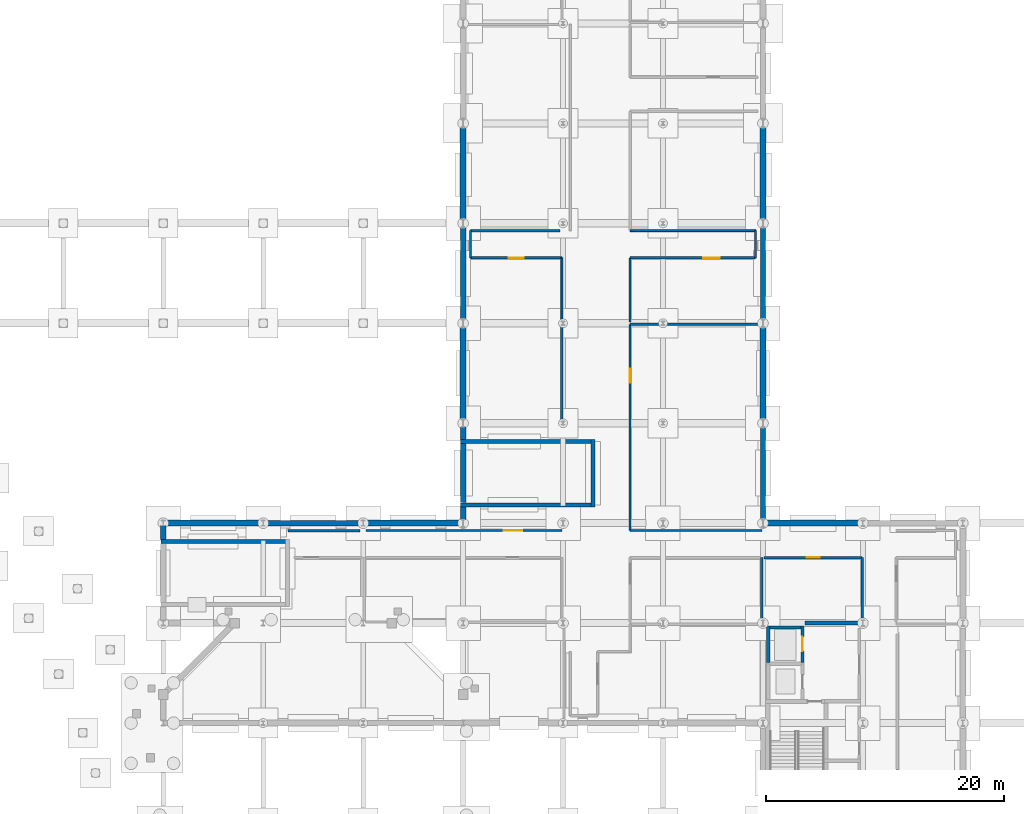
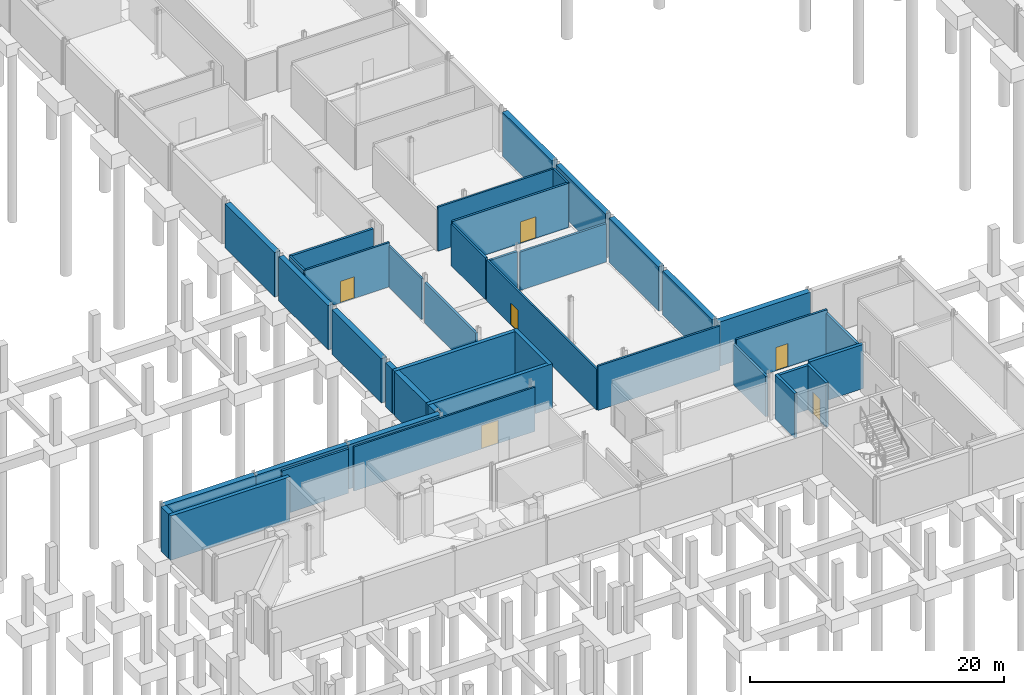
# One storey, part 27 of 43: 41 walls, 6 doors, 6 openings.
"""IFC4 building model written with IfcOpenShell, lengths in metres."""

from ifc_helpers import new_model, si_unit, direction, frame, frame_2d, origin, place, context, subcontext, project, spatial, rectangle, extrude, material, layer, layer_set, type_object, element, fill, save


model = new_model("IFC4")

# Units and contexts
model_context = context("Model", 3, precision=1e-05, world=origin(), true_north=direction((0.0, 1.0)))
body_context = subcontext(model_context, "Body", "Model", "MODEL_VIEW")
ifc_project = project(units=[si_unit("LENGTHUNIT", "METRE"), si_unit("AREAUNIT", "SQUARE_METRE"), si_unit("VOLUMEUNIT", "CUBIC_METRE"), si_unit("PLANEANGLEUNIT", "RADIAN"), si_unit("MASSUNIT", "GRAM", prefix="KILO")], contexts=[model_context])

# Site, building, storey
site_placement = place(None, origin())
site = spatial("IfcSite", under=ifc_project, at=site_placement, CompositionType="ELEMENT")
building_placement = place(site_placement, origin())
building = spatial("IfcBuilding", under=site, at=building_placement, Name="Mersafa Astral City Hall", CompositionType="ELEMENT")
storey_placement = place(building_placement, frame((0.0, 0.0, -4.5)))
storey = spatial("IfcBuildingStorey", under=building, at=storey_placement, Name="B1", CompositionType="ELEMENT", Elevation=-4.5)

# Walls
ifc_material_1 = material(Name="Concrete C40/50", Category="concrete")
ifc_layer_1 = layer(ifc_material_1, 0.449951171875, Name="Concrete C40/50")
ifc_layer_set_1 = layer_set([ifc_layer_1], Name="Concrete C40/50 — ENV-WAL-RET-450")
wall_type_1 = type_object("IfcWallType", Name="ENV-WAL-RET-450", PredefinedType="USERDEFINED", material=ifc_layer_set_1)
for number, where, z_axis, x_axis, name in (
    (1, (117.60009765625, 33.909912109375, 0.0), (0.0, 0.0, 1.0), (0.0, 1.0, 0.0), "B1 Perimeter retaining wall 3"),
    (2, (117.60009765625, 50.7099609375, 0.0), (0.0, 0.0, 1.0), (0.0, 1.0, 0.0), "B1 Perimeter retaining wall 5"),
    (3, (92.39990234375, 58.489990234375, 0.0), (0.0, 0.0, 1.0), (0.0, -1.0, 0.0), "B1 Perimeter retaining wall 83"),
):
    element("IfcWall", number, at=place(storey_placement, frame(where, z_axis=z_axis, x_axis=x_axis)), inside=storey, type_object=wall_type_1, Name=name, ObjectType="RETAININGWALL", PredefinedType="USERDEFINED", context=body_context, shape_type="SweptSolid", body=[
        extrude(rectangle(XDim=7.780029296875, YDim=0.449951171875, at=frame_2d((3.89013671875, 0.0))), origin(), (0.0, 0.0, 1.0), 4.25),
    ])
wall_1_placement = place(storey_placement, frame((83.991943359375, 33.60009765625, 0.0), z_axis=(0.0, 0.0, 1.0), x_axis=(-1.0, 0.0, 0.0)))
element("IfcWall", 4, at=wall_1_placement, inside=storey, type_object=wall_type_1, Name="B1 Perimeter retaining wall 87", ObjectType="RETAININGWALL", PredefinedType="USERDEFINED", context=body_context, shape_type="SweptSolid", body=[
    extrude(rectangle(XDim=8.384033203125, YDim=0.449951171875, at=frame_2d((4.19189453125, 0.0))), origin(), (0.0, 0.0, 1.0), 4.25),
])
wall_2_placement = place(storey_placement, frame((92.39990234375, 41.68994140625, 0.0), z_axis=(0.0, 0.0, 1.0), x_axis=(0.0, -1.0, 0.0)))
element("IfcWall", 5, at=wall_2_placement, inside=storey, type_object=wall_type_1, Name="B1 Perimeter retaining wall 85", ObjectType="RETAININGWALL", PredefinedType="USERDEFINED", context=body_context, shape_type="SweptSolid", body=[
    extrude(rectangle(XDim=1.06298828125, YDim=0.449951171875, at=frame_2d((0.531494140625, 0.0))), origin(), (0.0, 0.0, 1.0), 4.25),
])
wall_3_placement = place(storey_placement, frame((92.39990234375, 40.282958984375, 0.0), z_axis=(0.0, 0.0, 1.0), x_axis=(0.0, -1.0, 0.0)))
element("IfcWall", 6, at=wall_3_placement, inside=storey, type_object=wall_type_1, Name="B1 Perimeter retaining wall 85", ObjectType="RETAININGWALL", PredefinedType="USERDEFINED", context=body_context, shape_type="SweptSolid", body=[
    extrude(rectangle(XDim=4.966064453125, YDim=0.449951171875, at=frame_2d((2.48291015625, 0.0))), origin(), (0.0, 0.0, 1.0), 4.25),
])
wall_4_placement = place(storey_placement, frame((92.39990234375, 34.972900390625, 0.0), z_axis=(0.0, 0.0, 1.0), x_axis=(0.0, -1.0, 0.0)))
element("IfcWall", 7, at=wall_4_placement, inside=storey, type_object=wall_type_1, Name="B1 Perimeter retaining wall 85", ObjectType="RETAININGWALL", PredefinedType="USERDEFINED", context=body_context, shape_type="SweptSolid", body=[
    extrude(rectangle(XDim=1.06298828125, YDim=0.449951171875, at=frame_2d((0.531494140625, 0.0))), origin(), (0.0, 0.0, 1.0), 4.25),
])
wall_5_placement = place(storey_placement, frame((67.199951171875, 33.389892578125, 0.0), z_axis=(0.0, 0.0, 1.0), x_axis=(0.0, -1.0, 0.0)))
element("IfcWall", 8, at=wall_5_placement, inside=storey, type_object=wall_type_1, Name="B1 Perimeter retaining wall 89", ObjectType="RETAININGWALL", PredefinedType="USERDEFINED", context=body_context, shape_type="SweptSolid", body=[
    extrude(rectangle(XDim=1.162841796875, YDim=0.449951171875, at=frame_2d((0.58154296875, 0.0))), origin(), (0.0, 0.0, 1.0), 4.25),
])
ifc_layer_2 = layer(ifc_material_1, 0.5, Name="Concrete C40/50")
ifc_layer_set_2 = layer_set([ifc_layer_2], Name="Concrete C40/50 — ENV-WAL-RET-500")
wall_type_2 = type_object("IfcWallType", Name="ENV-WAL-RET-500", PredefinedType="USERDEFINED", material=ifc_layer_set_2)
wall_6_placement = place(storey_placement, frame((125.991943359375, 33.60009765625, 0.0), z_axis=(0.0, 0.0, 1.0), x_axis=(-1.0, 0.0, 0.0)))
element("IfcWall", 9, at=wall_6_placement, inside=storey, type_object=wall_type_2, Name="B1 Perimeter retaining wall 2", ObjectType="RETAININGWALL", PredefinedType="USERDEFINED", context=body_context, shape_type="SweptSolid", body=[
    extrude(rectangle(XDim=8.384033203125, YDim=0.5, at=frame_2d((4.19189453125, 0.0))), origin(), (0.0, 0.0, 1.0), 4.25),
])
wall_7_placement = place(storey_placement, frame((117.60009765625, 42.31005859375, 0.0), z_axis=(0.0, 0.0, 1.0), x_axis=(0.0, 1.0, 0.0)))
element("IfcWall", 10, at=wall_7_placement, inside=storey, type_object=wall_type_2, Name="B1 Perimeter retaining wall 4", ObjectType="RETAININGWALL", PredefinedType="USERDEFINED", context=body_context, shape_type="SweptSolid", body=[
    extrude(rectangle(XDim=7.780029296875, YDim=0.5, at=frame_2d((3.89013671875, 0.0))), origin(), (0.0, 0.0, 1.0), 4.25),
])
for number, where, z_axis, x_axis, name in (
    (11, (117.60009765625, 59.110107421875, 0.0), (0.0, 0.0, 1.0), (0.0, 1.0, 0.0), "B1 Perimeter retaining wall 6"),
    (12, (92.39990234375, 66.889892578125, 0.0), (0.0, 0.0, 1.0), (0.0, -1.0, 0.0), "B1 Perimeter retaining wall 82"),
):
    element("IfcWall", number, at=place(storey_placement, frame(where, z_axis=z_axis, x_axis=x_axis)), inside=storey, type_object=wall_type_2, Name=name, ObjectType="RETAININGWALL", PredefinedType="USERDEFINED", context=body_context, shape_type="SweptSolid", body=[
        extrude(rectangle(XDim=7.77978515625, YDim=0.5, at=frame_2d((3.889892578125, 0.0))), origin(), (0.0, 0.0, 1.0), 4.25),
    ])
wall_8_placement = place(storey_placement, frame((92.39990234375, 50.090087890625, 0.0), z_axis=(0.0, 0.0, 1.0), x_axis=(0.0, -1.0, 0.0)))
element("IfcWall", 13, at=wall_8_placement, inside=storey, type_object=wall_type_2, Name="B1 Perimeter retaining wall 84", ObjectType="RETAININGWALL", PredefinedType="USERDEFINED", context=body_context, shape_type="SweptSolid", body=[
    extrude(rectangle(XDim=7.780029296875, YDim=0.5, at=frame_2d((3.89013671875, 0.0))), origin(), (0.0, 0.0, 1.0), 4.25),
])
for number, where, z_axis, x_axis, name in (
    (14, (92.39208984375, 33.60009765625, 0.0), (0.0, 0.0, 1.0), (-1.0, 0.0, 0.0), "B1 Perimeter retaining wall 86"),
    (15, (75.592041015625, 33.60009765625, 0.0), (0.0, 0.0, 1.0), (-1.0, 0.0, 0.0), "B1 Perimeter retaining wall 88"),
):
    element("IfcWall", number, at=place(storey_placement, frame(where, z_axis=z_axis, x_axis=x_axis)), inside=storey, type_object=wall_type_2, Name=name, ObjectType="RETAININGWALL", PredefinedType="USERDEFINED", context=body_context, shape_type="SweptSolid", body=[
        extrude(rectangle(XDim=8.384033203125, YDim=0.5, at=frame_2d((4.19189453125, 0.0))), origin(), (0.0, 0.0, 1.0), 4.25),
    ])
ifc_layer_3 = layer(ifc_material_1, 0.260009765625, Name="Concrete C40/50")
ifc_layer_set_3 = layer_set([ifc_layer_3], Name="Concrete C40/50 — INT-WAL-CORE-260")
wall_type_3 = type_object("IfcWallType", Name="INT-WAL-CORE-260", PredefinedType="SHEAR", material=ifc_layer_set_3)
wall_9_placement = place(storey_placement, frame((117.9150390625, 24.8349609375, 0.0), z_axis=(0.0, 0.0, 1.0), x_axis=(1.0, 0.0, 0.0)))
element("IfcWall", 16, at=wall_9_placement, inside=storey, type_object=wall_type_3, Name="B1 Lift LF10 north shaft wall", PredefinedType="SHEAR", context=body_context, shape_type="SweptSolid", body=[
    extrude(rectangle(XDim=3.1298828125, YDim=0.260009765625, at=frame_2d((1.56494140625, 0.0))), origin(), (0.0, 0.0, 1.0), 4.25),
])
wall_10_placement = place(storey_placement, frame((118.044921875, 21.905029296875, 0.0), z_axis=(0.0, 0.0, 1.0), x_axis=(0.0, 1.0, 0.0)))
element("IfcWall", 17, at=wall_10_placement, inside=storey, type_object=wall_type_3, Name="B1 Lift LF10 back shaft wall", PredefinedType="SHEAR", context=body_context, shape_type="SweptSolid", body=[
    extrude(rectangle(XDim=3.06005859375, YDim=0.260009765625, at=frame_2d((1.530029296875, 0.0))), origin(), (0.0, 0.0, 1.0), 4.25),
])

# Wall, opening, door
wall_11_placement = place(storey_placement, frame((120.9150390625, 21.905029296875, 0.0), z_axis=(0.0, 0.0, 1.0), x_axis=(0.0, 1.0, 0.0)))
wall_11 = element("IfcWall", 18, at=wall_11_placement, inside=storey, type_object=wall_type_3, Name="B1 Lift LF10 front shaft wall", PredefinedType="SHEAR", context=body_context, shape_type="SweptSolid", body=[
    extrude(rectangle(XDim=3.06005859375, YDim=0.260009765625, at=frame_2d((1.530029296875, 0.0))), origin(), (0.0, 0.0, 1.0), 4.25),
])
opening_1_placement = place(wall_11_placement, frame((0.929931640625, 0.0, 0.0)))
opening_1 = element("IfcOpeningElement", 19, at=opening_1_placement, cuts=wall_11, Name="Opening LD-2", PredefinedType="OPENING", context=body_context, shape_type="SweptSolid", body=[
    extrude(rectangle(XDim=1.199951171875, YDim=2.14990234375, at=frame_2d((0.60009765625, 1.074951171875))), frame((0.0, 0.139892578125, 0.0), z_axis=(0.0, -1.0, 0.0), x_axis=(1.0, 0.0, 0.0)), (0.0, 0.0, 1.0), 0.280029296875),
])
ifc_material_2 = material(Name="Heavy-duty sliding goods lift landing door", Category="metal")
door_type_1 = type_object("IfcDoorType", Name="INT-DR-LIFT-LD2", OperationType="NOTDEFINED", PredefinedType="DOOR", material=ifc_material_2)
door_1_placement = place(opening_1_placement, origin())
door_1 = element("IfcDoor", 20, at=door_1_placement, inside=storey, type_object=door_type_1, Name="Elevator LF10 Sliding Landing Door B1", OperationType="DOUBLE_DOOR_SLIDING", OverallHeight=2.14990234375, OverallWidth=1.199951171875, PredefinedType="DOOR", context=body_context, shape_type="SweptSolid", body=[
    extrude(rectangle(XDim=1.199951171875, YDim=2.14990234375, at=frame_2d((0.60009765625, 1.074951171875))), frame((0.0, 0.02490234375, 0.0), z_axis=(0.0, -1.0, 0.0), x_axis=(1.0, 0.0, 0.0)), (0.0, 0.0, 1.0), 0.050048828125),
])
fill(opening_1, door_1)

# Walls
ifc_layer_4 = layer(ifc_material_1, 0.300048828125, Name="Concrete C40/50")
ifc_layer_set_4 = layer_set([ifc_layer_4], Name="Concrete C40/50 — INT-WAL-CORE-300")
wall_type_4 = type_object("IfcWallType", Name="INT-WAL-CORE-300", PredefinedType="SHEAR", material=ifc_layer_set_4)
wall_12_placement = place(storey_placement, frame((121.14990234375, 25.2099609375, 0.0), z_axis=(0.0, 0.0, 1.0), x_axis=(1.0, 0.0, 0.0)))
element("IfcWall", 21, at=wall_12_placement, inside=storey, type_object=wall_type_4, Name="B1 Core K5 lobby north shear wall", PredefinedType="SHEAR", context=body_context, shape_type="SweptSolid", body=[
    extrude(rectangle(XDim=4.8701171875, YDim=0.300048828125, at=frame_2d((2.43505859375, 0.0))), origin(), (0.0, 0.0, 1.0), 4.25),
])
ifc_layer_5 = layer(ifc_material_1, 0.340087890625, Name="Concrete C40/50")
ifc_layer_set_5 = layer_set([ifc_layer_5], Name="Concrete C40/50 — INT-WAL-CORE-340")
wall_type_5 = type_object("IfcWallType", Name="INT-WAL-CORE-340", PredefinedType="SHEAR", material=ifc_layer_set_5)
wall_13_placement = place(storey_placement, frame((67.0, 32.054931640625, 0.0), z_axis=(0.0, 0.0, 1.0), x_axis=(1.0, 0.0, 0.0)))
element("IfcWall", 22, at=wall_13_placement, inside=storey, type_object=wall_type_5, Name="B1 Stair shaft K7 foundation shear wall N", PredefinedType="SHEAR", context=body_context, shape_type="SweptSolid", body=[
    extrude(rectangle(XDim=10.824951171875, YDim=0.340087890625, at=frame_2d((5.41259765625, 0.0))), origin(), (0.0, 0.0, 1.0), 4.25),
])
wall_14_placement = place(storey_placement, frame((92.199951171875, 35.14501953125, 0.0), z_axis=(0.0, 0.0, 1.0), x_axis=(1.0, 0.0, 0.0)))
element("IfcWall", 23, at=wall_14_placement, inside=storey, type_object=wall_type_5, Name="B1 Stair shaft K8 foundation shear wall S", PredefinedType="SHEAR", context=body_context, shape_type="SweptSolid", body=[
    extrude(rectangle(XDim=11.295166015625, YDim=0.340087890625, at=frame_2d((5.6474609375, 0.0))), origin(), (0.0, 0.0, 1.0), 4.25),
])
wall_15_placement = place(storey_placement, frame((103.324951171875, 34.97509765625, 0.0), z_axis=(0.0, 0.0, 1.0), x_axis=(0.0, 1.0, 0.0)))
element("IfcWall", 24, at=wall_15_placement, inside=storey, type_object=wall_type_5, Name="B1 Stair shaft K8 foundation shear wall E", PredefinedType="SHEAR", context=body_context, shape_type="SweptSolid", body=[
    extrude(rectangle(XDim=5.64990234375, YDim=0.340087890625, at=frame_2d((2.824951171875, 0.0))), origin(), (0.0, 0.0, 1.0), 4.25),
])
wall_16_placement = place(storey_placement, frame((92.199951171875, 40.455078125, 0.0), z_axis=(0.0, 0.0, 1.0), x_axis=(1.0, 0.0, 0.0)))
element("IfcWall", 25, at=wall_16_placement, inside=storey, type_object=wall_type_5, Name="B1 Stair shaft K8 foundation shear wall N", PredefinedType="SHEAR", context=body_context, shape_type="SweptSolid", body=[
    extrude(rectangle(XDim=11.295166015625, YDim=0.340087890625, at=frame_2d((5.6474609375, 0.0))), origin(), (0.0, 0.0, 1.0), 4.25),
])

# Wall, opening, door
ifc_material_3 = material(Name="Fire-rated gypsum stud partition", Category="gypsum")
ifc_layer_6 = layer(ifc_material_3, 0.1650390625, Name="Fire-rated gypsum stud partition")
ifc_layer_set_6 = layer_set([ifc_layer_6], Name="Fire-rated gypsum stud partition — INT-WAL-PART-EI60-165")
wall_type_6 = type_object("IfcWallType", Name="INT-WAL-PART-EI60-165", PredefinedType="STANDARD", material=ifc_layer_set_6)
wall_17_placement = place(storey_placement, frame((106.429931640625, 32.97998046875, -0.00390625), z_axis=(0.0, 0.0, 1.0), x_axis=(0.0, 1.0, 0.0)))
wall_17 = element("IfcWall", 26, at=wall_17_placement, inside=storey, type_object=wall_type_6, Name="B1 Interior partition wall 23", PredefinedType="STANDARD", context=body_context, shape_type="SweptSolid", body=[
    extrude(rectangle(XDim=17.330078125, YDim=0.1650390625, at=frame_2d((8.6650390625, 0.0))), origin(), (0.0, 0.0, 1.0), 3.935791015625),
])
opening_2_placement = place(wall_17_placement, frame((12.407470703125, 0.0, 0.014892578125)))
opening_2 = element("IfcOpeningElement", 27, at=opening_2_placement, cuts=wall_17, Name="Opening D-05", PredefinedType="OPENING", context=body_context, shape_type="SweptSolid", body=[
    extrude(rectangle(XDim=1.179931640625, YDim=2.06005859375, at=frame_2d((0.58984375, 1.030029296875))), frame((0.0, 0.092529296875, 0.0), z_axis=(0.0, -1.0, 0.0), x_axis=(1.0, 0.0, 0.0)), (0.0, 0.0, 1.0), 0.18505859375),
])
ifc_material_4 = material(Name="Cedar veneered acoustic fire-rated timber door", Category="wood")
door_type_2 = type_object("IfcDoorType", Name="INT-DR-RM-D-05", OperationType="NOTDEFINED", PredefinedType="DOOR", material=ifc_material_4)
door_2_placement = place(opening_2_placement, origin())
door_2 = element("IfcDoor", 28, at=door_2_placement, inside=storey, type_object=door_type_2, Name="B1 Logistics Bay B1-04 Entrance Door", OperationType="SINGLE_SWING_LEFT", OverallHeight=2.06005859375, OverallWidth=1.179931640625, PredefinedType="DOOR", context=body_context, shape_type="SweptSolid", body=[
    extrude(rectangle(XDim=1.179931640625, YDim=2.06005859375, at=frame_2d((0.58984375, 1.030029296875))), frame((0.0, 0.02490234375, 0.0), z_axis=(0.0, -1.0, 0.0), x_axis=(1.0, 0.0, 0.0)), (0.0, 0.0, 1.0), 0.050048828125),
])
fill(opening_2, door_2)

# Walls
wall_18_placement = place(storey_placement, frame((100.7099609375, 55.89990234375, -0.00390625), z_axis=(0.0, 0.0, 1.0), x_axis=(0.0, -1.0, 0.0)))
element("IfcWall", 29, at=wall_18_placement, inside=storey, type_object=wall_type_6, Name="B1 Interior partition wall 31", PredefinedType="STANDARD", context=body_context, shape_type="SweptSolid", body=[
    extrude(rectangle(XDim=5.239990234375, YDim=0.1650390625, at=frame_2d((2.6201171875, 0.0))), origin(), (0.0, 0.0, 1.0), 3.926025390625),
])
wall_19_placement = place(storey_placement, frame((116.97998046875, 58.179931640625, -0.00390625), z_axis=(0.0, 0.0, 1.0), x_axis=(-1.0, 0.0, 0.0)))
element("IfcWall", 30, at=wall_19_placement, inside=storey, type_object=wall_type_6, Name="B1 Interior partition wall 35", PredefinedType="STANDARD", context=body_context, shape_type="SweptSolid", body=[
    extrude(rectangle(XDim=10.550048828125, YDim=0.1650390625, at=frame_2d((5.27490234375, 0.0))), origin(), (0.0, 0.0, 1.0), 4.25390625),
])

# Wall, opening, door
wall_20_placement = place(storey_placement, frame((100.7099609375, 32.97998046875, -0.00390625), z_axis=(0.0, 0.0, 1.0), x_axis=(-1.0, 0.0, 0.0)))
wall_20 = element("IfcWall", 31, at=wall_20_placement, inside=storey, type_object=wall_type_6, Name="B1 Interior partition wall 107", PredefinedType="STANDARD", context=body_context, shape_type="SweptSolid", body=[
    extrude(rectangle(XDim=16.449951171875, YDim=0.1650390625, at=frame_2d((8.22509765625, 0.0))), origin(), (0.0, 0.0, 1.0), 4.25390625),
])
opening_3_placement = place(wall_20_placement, frame((3.342529296875, 0.0, 0.014892578125)))
opening_3 = element("IfcOpeningElement", 32, at=opening_3_placement, cuts=wall_20, Name="Opening D-26", PredefinedType="OPENING", context=body_context, shape_type="SweptSolid", body=[
    extrude(rectangle(XDim=1.5400390625, YDim=2.219970703125, at=frame_2d((0.77001953125, 1.10986328125))), frame((0.0, 0.092529296875, 0.0), z_axis=(0.0, -1.0, 0.0), x_axis=(1.0, 0.0, 0.0)), (0.0, 0.0, 1.0), 0.18505859375),
])
door_type_3 = type_object("IfcDoorType", Name="INT-DR-RM-D-26", OperationType="NOTDEFINED", PredefinedType="DOOR", material=ifc_material_4)
door_3_placement = place(opening_3_placement, origin())
door_3 = element("IfcDoor", 33, at=door_3_placement, inside=storey, type_object=door_type_3, Name="B1 Central Archive Stack B1-25 Entrance Door", OperationType="SINGLE_SWING_RIGHT", OverallHeight=2.219970703125, OverallWidth=1.5400390625, PredefinedType="DOOR", context=body_context, shape_type="SweptSolid", body=[
    extrude(rectangle(XDim=1.5400390625, YDim=2.219970703125, at=frame_2d((0.77001953125, 1.10986328125))), frame((0.0, 0.02490234375, 0.0), z_axis=(0.0, -1.0, 0.0), x_axis=(1.0, 0.0, 0.0)), (0.0, 0.0, 1.0), 0.050048828125),
])
fill(opening_3, door_3)

# Wall
ifc_material_5 = material(Name="Acoustic twin-stud gypsum partition", Category="gypsum")
ifc_layer_7 = layer(ifc_material_5, 0.179931640625, Name="Acoustic twin-stud gypsum partition")
ifc_layer_set_7 = layer_set([ifc_layer_7], Name="Acoustic twin-stud gypsum partition — INT-WAL-PART-EI60-180")
wall_type_7 = type_object("IfcWallType", Name="INT-WAL-PART-EI60-180", PredefinedType="STANDARD", material=ifc_layer_set_7)
wall_21_placement = place(storey_placement, frame((117.510009765625, 32.97998046875, -0.00390625), z_axis=(0.0, 0.0, 1.0), x_axis=(-1.0, 0.0, 0.0)))
element("IfcWall", 34, at=wall_21_placement, inside=storey, type_object=wall_type_7, Name="B1 Interior partition wall 22", PredefinedType="STANDARD", context=body_context, shape_type="SweptSolid", body=[
    extrude(rectangle(XDim=11.080078125, YDim=0.179931640625, at=frame_2d((5.5400390625, 0.0))), origin(), (0.0, 0.0, 1.0), 4.25390625),
])

# Wall, opening, door
wall_22_placement = place(storey_placement, frame((93.02001953125, 55.89990234375, -0.00390625), z_axis=(0.0, 0.0, 1.0), x_axis=(1.0, 0.0, 0.0)))
wall_22 = element("IfcWall", 35, at=wall_22_placement, inside=storey, type_object=wall_type_7, Name="B1 Interior partition wall 30", PredefinedType="STANDARD", context=body_context, shape_type="SweptSolid", body=[
    extrude(rectangle(XDim=7.68994140625, YDim=0.179931640625, at=frame_2d((3.844970703125, 0.0))), origin(), (0.0, 0.0, 1.0), 4.25390625),
])
opening_4_placement = place(wall_22_placement, frame((3.205078125, 0.0, 0.014892578125)))
opening_4 = element("IfcOpeningElement", 36, at=opening_4_placement, cuts=wall_22, Name="Opening D-06", PredefinedType="OPENING", context=body_context, shape_type="SweptSolid", body=[
    extrude(rectangle(XDim=1.280029296875, YDim=2.06005859375, at=frame_2d((0.64013671875, 1.030029296875))), frame((0.0, 0.099853515625, 0.0), z_axis=(0.0, -1.0, 0.0), x_axis=(1.0, 0.0, 0.0)), (0.0, 0.0, 1.0), 0.199951171875),
])
door_type_4 = type_object("IfcDoorType", Name="INT-DR-RM-D-06", OperationType="NOTDEFINED", PredefinedType="DOOR", material=ifc_material_4)
door_4_placement = place(opening_4_placement, origin())
door_4 = element("IfcDoor", 37, at=door_4_placement, inside=storey, type_object=door_type_4, Name="B1 Mechanical Chiller Plant Room B1-05 Entrance Door", OperationType="SINGLE_SWING_RIGHT", OverallHeight=2.06005859375, OverallWidth=1.280029296875, PredefinedType="DOOR", context=body_context, shape_type="SweptSolid", body=[
    extrude(rectangle(XDim=1.280029296875, YDim=2.06005859375, at=frame_2d((0.64013671875, 1.030029296875))), frame((0.0, 0.02490234375, 0.0), z_axis=(0.0, -1.0, 0.0), x_axis=(1.0, 0.0, 0.0)), (0.0, 0.0, 1.0), 0.050048828125),
])
fill(opening_4, door_4)

# Walls
wall_23_placement = place(storey_placement, frame((116.97998046875, 55.89990234375, -0.00390625), z_axis=(0.0, 0.0, 1.0), x_axis=(0.0, 1.0, 0.0)))
element("IfcWall", 38, at=wall_23_placement, inside=storey, type_object=wall_type_7, Name="B1 Interior partition wall 34", PredefinedType="STANDARD", context=body_context, shape_type="SweptSolid", body=[
    extrude(rectangle(XDim=2.280029296875, YDim=0.179931640625, at=frame_2d((1.14013671875, 0.0))), origin(), (0.0, 0.0, 1.0), 4.25390625),
])
wall_24_placement = place(storey_placement, frame((106.429931640625, 50.489990234375, -0.00390625), z_axis=(0.0, 0.0, 1.0), x_axis=(0.0, 1.0, 0.0)))
element("IfcWall", 39, at=wall_24_placement, inside=storey, type_object=wall_type_7, Name="B1 Interior partition wall 38", PredefinedType="STANDARD", context=body_context, shape_type="SweptSolid", body=[
    extrude(rectangle(XDim=5.409912109375, YDim=0.179931640625, at=frame_2d((2.705078125, 0.0))), origin(), (0.0, 0.0, 1.0), 4.015869140625),
])
ifc_layer_8 = layer(ifc_material_5, 0.195068359375, Name="Acoustic twin-stud gypsum partition")
ifc_layer_set_8 = layer_set([ifc_layer_8], Name="Acoustic twin-stud gypsum partition — INT-WAL-PART-EI60-195")
wall_type_8 = type_object("IfcWallType", Name="INT-WAL-PART-EI60-195", PredefinedType="STANDARD", material=ifc_layer_set_8)
wall_25_placement = place(storey_placement, frame((109.314697265625, 50.31005859375, -0.00390625), z_axis=(0.0, 0.0, 1.0), x_axis=(1.0, 0.0, 0.0)))
element("IfcWall", 40, at=wall_25_placement, inside=storey, type_object=wall_type_8, Name="B1 Interior partition wall 25", PredefinedType="STANDARD", context=body_context, shape_type="SweptSolid", body=[
    extrude(rectangle(XDim=7.865234375, YDim=0.195068359375, at=frame_2d((3.9326171875, 0.0))), origin(), (0.0, 0.0, 1.0), 3.685791015625),
])
wall_26_placement = place(storey_placement, frame((93.02001953125, 58.179931640625, -0.00390625), z_axis=(0.0, 0.0, 1.0), x_axis=(0.0, -1.0, 0.0)))
element("IfcWall", 41, at=wall_26_placement, inside=storey, type_object=wall_type_8, Name="B1 Interior partition wall 29", PredefinedType="STANDARD", context=body_context, shape_type="SweptSolid", body=[
    extrude(rectangle(XDim=2.280029296875, YDim=0.195068359375, at=frame_2d((1.14013671875, 0.0))), origin(), (0.0, 0.0, 1.0), 4.25390625),
])

# Wall, opening, door
wall_27_placement = place(storey_placement, frame((106.429931640625, 55.89990234375, -0.00390625), z_axis=(0.0, 0.0, 1.0), x_axis=(1.0, 0.0, 0.0)))
wall_27 = element("IfcWall", 42, at=wall_27_placement, inside=storey, type_object=wall_type_8, Name="B1 Interior partition wall 33", PredefinedType="STANDARD", context=body_context, shape_type="SweptSolid", body=[
    extrude(rectangle(XDim=10.550048828125, YDim=0.195068359375, at=frame_2d((5.27490234375, 0.0))), origin(), (0.0, 0.0, 1.0), 4.25390625),
])
opening_5_placement = place(wall_27_placement, frame((6.157470703125, 0.0, 0.014892578125)))
opening_5 = element("IfcOpeningElement", 43, at=opening_5_placement, cuts=wall_27, Name="Opening D-07", PredefinedType="OPENING", context=body_context, shape_type="SweptSolid", body=[
    extrude(rectangle(XDim=1.39990234375, YDim=2.06005859375, at=frame_2d((0.699951171875, 1.030029296875))), frame((0.0, 0.107421875, 0.0), z_axis=(0.0, -1.0, 0.0), x_axis=(1.0, 0.0, 0.0)), (0.0, 0.0, 1.0), 0.215087890625),
])
door_type_5 = type_object("IfcDoorType", Name="INT-DR-RM-D-07", OperationType="NOTDEFINED", PredefinedType="DOOR", material=ifc_material_4)
door_5_placement = place(opening_5_placement, origin())
door_5 = element("IfcDoor", 44, at=door_5_placement, inside=storey, type_object=door_type_5, Name="B1 Electrical Substation Room B1-06 Entrance Door", OperationType="SINGLE_SWING_LEFT", OverallHeight=2.06005859375, OverallWidth=1.39990234375, PredefinedType="DOOR", context=body_context, shape_type="SweptSolid", body=[
    extrude(rectangle(XDim=1.39990234375, YDim=2.06005859375, at=frame_2d((0.699951171875, 1.030029296875))), frame((0.0, 0.02490234375, 0.0), z_axis=(0.0, -1.0, 0.0), x_axis=(1.0, 0.0, 0.0)), (0.0, 0.0, 1.0), 0.050048828125),
])
fill(opening_5, door_5)

# Wall
wall_28_placement = place(storey_placement, frame((117.510009765625, 30.699951171875, -0.00390625), z_axis=(0.0, 0.0, 1.0), x_axis=(0.0, -1.0, 0.0)))
element("IfcWall", 45, at=wall_28_placement, inside=storey, type_object=wall_type_8, Name="B1 Interior partition wall 85", PredefinedType="STANDARD", context=body_context, shape_type="SweptSolid", body=[
    extrude(rectangle(XDim=5.16796875, YDim=0.195068359375, at=frame_2d((2.583984375, 0.0))), origin(), (0.0, 0.0, 1.0), 3.885986328125),
])

# Wall, opening, door
wall_29_placement = place(storey_placement, frame((117.68994140625, 30.699951171875, -0.00390625), z_axis=(0.0, 0.0, 1.0), x_axis=(1.0, 0.0, 0.0)))
wall_29 = element("IfcWall", 46, at=wall_29_placement, inside=storey, type_object=wall_type_8, Name="B1 Interior partition wall 97", PredefinedType="STANDARD", context=body_context, shape_type="SweptSolid", body=[
    extrude(rectangle(XDim=8.25, YDim=0.195068359375, at=frame_2d((4.125, 0.0))), origin(), (0.0, 0.0, 1.0), 4.25390625),
])
opening_6_placement = place(wall_29_placement, frame((3.574951171875, 0.0, 0.014892578125)))
opening_6 = element("IfcOpeningElement", 47, at=opening_6_placement, cuts=wall_29, Name="Opening D-22", PredefinedType="OPENING", context=body_context, shape_type="SweptSolid", body=[
    extrude(rectangle(XDim=1.10009765625, YDim=2.219970703125, at=frame_2d((0.550048828125, 1.10986328125))), frame((0.0, 0.107421875, 0.0), z_axis=(0.0, -1.0, 0.0), x_axis=(1.0, 0.0, 0.0)), (0.0, 0.0, 1.0), 0.215087890625),
])
door_type_6 = type_object("IfcDoorType", Name="INT-DR-RM-D-22", OperationType="NOTDEFINED", PredefinedType="DOOR", material=ifc_material_4)
door_6_placement = place(opening_6_placement, origin())
door_6 = element("IfcDoor", 48, at=door_6_placement, inside=storey, type_object=door_type_6, Name="B1 Emergency Generator Room B1-21 Entrance Door", OperationType="SINGLE_SWING_RIGHT", OverallHeight=2.219970703125, OverallWidth=1.10009765625, PredefinedType="DOOR", context=body_context, shape_type="SweptSolid", body=[
    extrude(rectangle(XDim=1.10009765625, YDim=2.219970703125, at=frame_2d((0.550048828125, 1.10986328125))), frame((0.0, 0.02490234375, 0.0), z_axis=(0.0, -1.0, 0.0), x_axis=(1.0, 0.0, 0.0)), (0.0, 0.0, 1.0), 0.050048828125),
])
fill(opening_6, door_6)

# Walls
ifc_material_6 = material(Name="Autoclaved aerated concrete blockwork plastered", Category="masonry")
ifc_layer_9 = layer(ifc_material_6, 0.2099609375, Name="Autoclaved aerated concrete blockwork plastered")
ifc_layer_set_9 = layer_set([ifc_layer_9], Name="Autoclaved aerated concrete blockwork plastered — INT-WAL-PART-EI60-210")
wall_type_9 = type_object("IfcWallType", Name="INT-WAL-PART-EI60-210", PredefinedType="STANDARD", material=ifc_layer_set_9)
wall_30_placement = place(storey_placement, frame((106.429931640625, 50.31005859375, -0.00390625), z_axis=(0.0, 0.0, 1.0), x_axis=(1.0, 0.0, 0.0)))
element("IfcWall", 49, at=wall_30_placement, inside=storey, type_object=wall_type_9, Name="B1 Interior partition wall 24", PredefinedType="STANDARD", context=body_context, shape_type="SweptSolid", body=[
    extrude(rectangle(XDim=2.6552734375, YDim=0.2099609375, at=frame_2d((1.32763671875, 0.0))), origin(), (0.0, 0.0, 1.0), 3.845947265625),
])
wall_31_placement = place(storey_placement, frame((100.5400390625, 58.179931640625, -0.00390625), z_axis=(0.0, 0.0, 1.0), x_axis=(-1.0, 0.0, 0.0)))
element("IfcWall", 50, at=wall_31_placement, inside=storey, type_object=wall_type_9, Name="B1 Interior partition wall 28", PredefinedType="STANDARD", context=body_context, shape_type="SweptSolid", body=[
    extrude(rectangle(XDim=7.52001953125, YDim=0.2099609375, at=frame_2d((3.760009765625, 0.0))), origin(), (0.0, 0.0, 1.0), 4.25390625),
])
wall_32_placement = place(storey_placement, frame((100.7099609375, 50.139892578125, -0.00390625), z_axis=(0.0, 0.0, 1.0), x_axis=(0.0, -1.0, 0.0)))
element("IfcWall", 51, at=wall_32_placement, inside=storey, type_object=wall_type_9, Name="B1 Interior partition wall 32", PredefinedType="STANDARD", context=body_context, shape_type="SweptSolid", body=[
    extrude(rectangle(XDim=8.025146484375, YDim=0.2099609375, at=frame_2d((4.0126953125, 0.0))), origin(), (0.0, 0.0, 1.0), 3.885986328125),
])
wall_33_placement = place(storey_placement, frame((125.93994140625, 30.699951171875, -0.00390625), z_axis=(0.0, 0.0, 1.0), x_axis=(0.0, -1.0, 0.0)))
element("IfcWall", 52, at=wall_33_placement, inside=storey, type_object=wall_type_9, Name="B1 Interior partition wall 96", PredefinedType="STANDARD", context=body_context, shape_type="SweptSolid", body=[
    extrude(rectangle(XDim=5.159912109375, YDim=0.2099609375, at=frame_2d((2.580078125, 0.0))), origin(), (0.0, 0.0, 1.0), 3.926025390625),
])
wall_34_placement = place(storey_placement, frame((83.739990234375, 32.97998046875, -0.00390625), z_axis=(0.0, 0.0, 1.0), x_axis=(-1.0, 0.0, 0.0)))
element("IfcWall", 53, at=wall_34_placement, inside=storey, type_object=wall_type_9, Name="B1 Interior partition wall 108", PredefinedType="STANDARD", context=body_context, shape_type="SweptSolid", body=[
    extrude(rectangle(XDim=6.0400390625, YDim=0.2099609375, at=frame_2d((3.02001953125, 0.0))), origin(), (0.0, 0.0, 1.0), 4.25390625),
])

save(model, "model.ifc")
